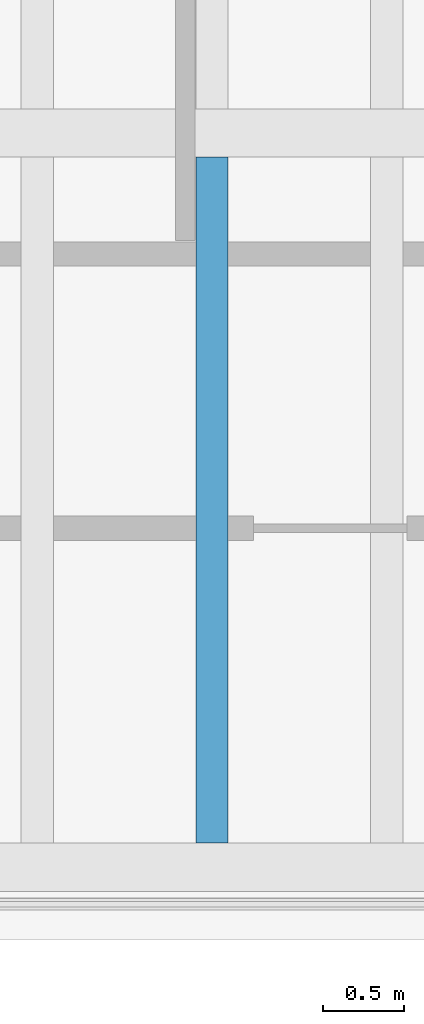
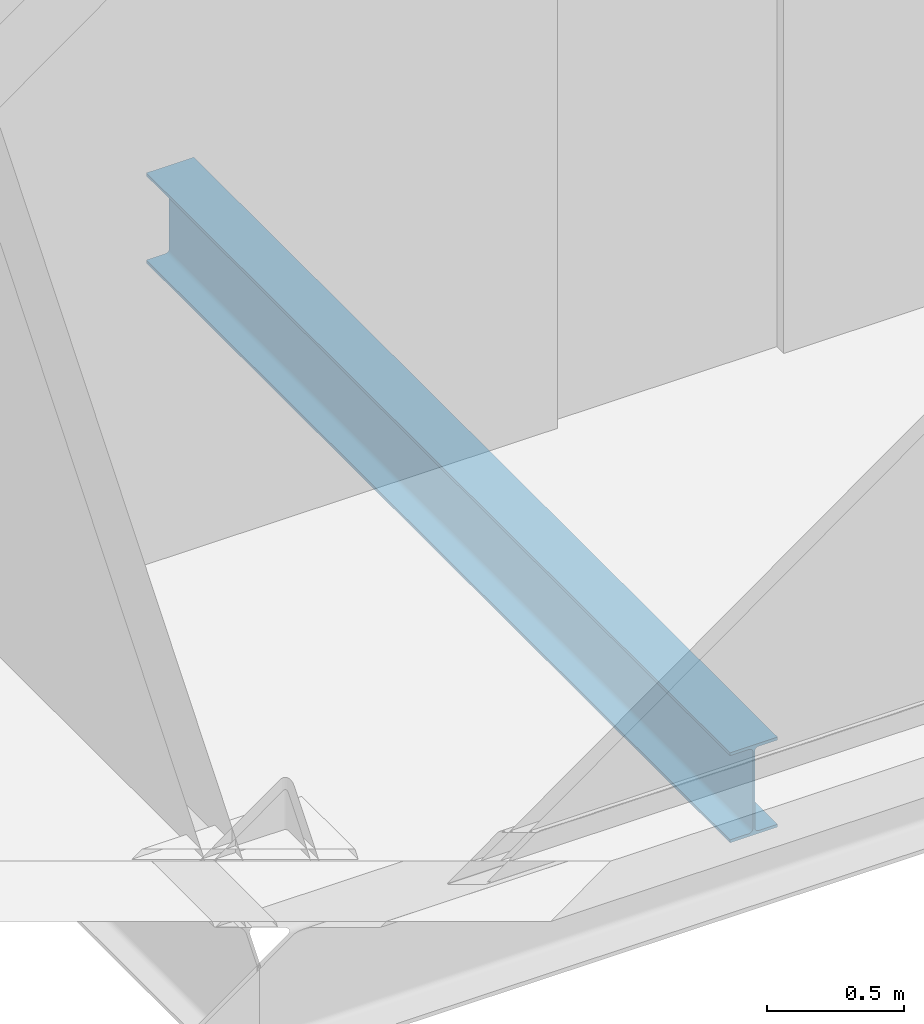
# One storey, part 4 of 30: 1 beam.
"""IFC4 building model written with IfcOpenShell, lengths in metres."""

import ifcopenshell
import ifcopenshell.guid

model = None  # the IFC model being written
_history = None  # IfcOwnerHistory: only IFC2X3 demands one
_inside = {}  # id of a spatial element -> (the spatial element, [elements in it])
_under = {}  # id of a project, library or spatial element -> (it, [spatial elements below it])
_declared = {}  # id of a project -> (the project, [libraries it declares])
_typed = {}  # id of a type object -> (the type object, [elements of that type])
_made_of = {}  # id of a material, layer set ... -> (it, [elements and type objects made of it])


def new_model(schema):
    """Start an empty IFC model of exactly this schema.

    Asked for "IFC4X3", IfcOpenShell would pick the latest addendum, in which some entities
    have other attributes; the version numbers below select the first issue.
    IFC2X3 requires an IfcOwnerHistory on every rooted entity: one is made here for all.
    """
    global model, _history
    if schema == "IFC4X3":
        model = ifcopenshell.file(schema_version=(4, 3, 0, 0))
    else:
        model = ifcopenshell.file(schema=schema)
    _inside.clear()
    _under.clear()
    _declared.clear()
    _typed.clear()
    _made_of.clear()
    _history = None
    if model.schema == "IFC2X3":
        org = make("IfcOrganization", Name="unknown")
        user = make(
            "IfcPersonAndOrganization",
            ThePerson=make("IfcPerson", FamilyName="unknown"),
            TheOrganization=org,
        )
        app = make(
            "IfcApplication",
            ApplicationDeveloper=org,
            Version="unknown",
            ApplicationFullName="unknown",
            ApplicationIdentifier="unknown",
        )
        _history = make(
            "IfcOwnerHistory",
            OwningUser=user,
            OwningApplication=app,
            ChangeAction="ADDED",
            CreationDate=0,
        )
    return model


def make(cls, **values):
    """One entity of the class cls with the attributes given. An attribute that is None is left unset."""
    return model.create_entity(
        cls, **{name: value for name, value in values.items() if value is not None}
    )


def rooted(cls, **values):
    """An entity with a GlobalId (a new one), such as an element, a storey or a relation."""
    return make(cls, GlobalId=ifcopenshell.guid.new(), OwnerHistory=_history, **values)


def si_unit(unit_type, name, prefix=None):
    """IfcSIUnit, for example si_unit("LENGTHUNIT", "METRE", prefix="MILLI")."""
    return make("IfcSIUnit", UnitType=unit_type, Prefix=prefix, Name=name)


def assignment(units):
    """IfcUnitAssignment: the units of a project."""
    return None if units is None else make("IfcUnitAssignment", Units=units)


def point(xyz):
    """IfcCartesianPoint."""
    return None if xyz is None else make("IfcCartesianPoint", Coordinates=xyz)


def direction(xyz):
    """IfcDirection."""
    return None if xyz is None else make("IfcDirection", DirectionRatios=xyz)


def frame(location, z_axis=None, x_axis=None):
    """IfcAxis2Placement3D, a coordinate frame: its origin and axes. An axis left out is left unset."""
    return make(
        "IfcAxis2Placement3D",
        Location=point(location),
        Axis=direction(z_axis),
        RefDirection=direction(x_axis),
    )


def frame_2d(location, x_axis=None):
    """IfcAxis2Placement2D, a coordinate frame in the plane: its origin and x axis."""
    return make(
        "IfcAxis2Placement2D", Location=point(location), RefDirection=direction(x_axis)
    )


def origin():
    """The frame at (0, 0, 0) with its axes left unset."""
    return frame((0.0, 0.0, 0.0))


def origin_2d():
    """The frame at (0, 0) in the plane with its x axis left unset."""
    return frame_2d((0.0, 0.0))


def place(relative_to, where):
    """IfcLocalPlacement: puts the frame where relative to a parent placement (None: the world)."""
    return make(
        "IfcLocalPlacement", PlacementRelTo=relative_to, RelativePlacement=where
    )


def context(
    kind, dimensions, precision=None, world=None, true_north=None, identifier=None
):
    """IfcGeometricRepresentationContext, for example the 3D "Model" context."""
    return make(
        "IfcGeometricRepresentationContext",
        ContextIdentifier=identifier,
        ContextType=kind,
        CoordinateSpaceDimension=dimensions,
        Precision=precision,
        WorldCoordinateSystem=world,
        TrueNorth=true_north,
    )


def subcontext(parent, identifier, kind, view, scale=None):
    """IfcGeometricRepresentationSubContext, for example "Body" below "Model"."""
    return make(
        "IfcGeometricRepresentationSubContext",
        ContextIdentifier=identifier,
        ContextType=kind,
        ParentContext=parent,
        TargetScale=scale,
        TargetView=view,
    )


def project(units=None, contexts=None):
    """IfcProject with its units and contexts."""
    return rooted(
        "IfcProject",
        Name="project",
        RepresentationContexts=contexts,
        UnitsInContext=assignment(units),
    )


def spatial(cls, under=None, at=None, **own):
    """A site, building, storey or space (cls), placed at a placement, below another one or the project."""
    s = rooted(cls, ObjectPlacement=at, **own)
    if under is not None:
        _under.setdefault(under.id(), (under, []))[1].append(s)
    return s


def profile(cls, at=None, kind="AREA", **sizes):
    """A parametric profile (cls). Its sizes go by their IFC names, for example OverallWidth=200.0."""
    return make(cls, ProfileType=kind, Position=at, **sizes)


def i_section(**sizes):
    """IfcIShapeProfileDef."""
    return profile("IfcIShapeProfileDef", **sizes)


def extrude(swept, where, along, depth):
    """IfcExtrudedAreaSolid: the profile swept, set in the frame where, extruded along a direction by depth."""
    return make(
        "IfcExtrudedAreaSolid",
        SweptArea=swept,
        Position=where,
        ExtrudedDirection=direction(along),
        Depth=depth,
    )


def shape(context_of_items, identifier, shape_type, items):
    """IfcShapeRepresentation: the items that make up one representation, for example the "Body"."""
    return make(
        "IfcShapeRepresentation",
        ContextOfItems=context_of_items,
        RepresentationIdentifier=identifier,
        RepresentationType=shape_type,
        Items=items,
    )


def material(Name=None, Category=None):
    """IfcMaterial."""
    return make("IfcMaterial", Name=Name, Category=Category)


def material_profile(
    of_material, cross_section, Name=None, Category=None, Priority=None
):
    """IfcMaterialProfile: a cross section and its material."""
    return make(
        "IfcMaterialProfile",
        Name=Name,
        Material=of_material,
        Profile=cross_section,
        Priority=Priority,
        Category=Category,
    )


def profile_set(profiles, Name=None, composite=None):
    """IfcMaterialProfileSet."""
    return make(
        "IfcMaterialProfileSet",
        Name=Name,
        MaterialProfiles=profiles,
        CompositeProfile=composite,
    )


def made_of(thing, what):
    """Note that an element or type object is made of a material, layer set ...; save() writes the relation."""
    if what is not None:
        _made_of.setdefault(what.id(), (what, []))[1].append(thing)
    return thing


def type_object(cls, material=None, **own):
    """A type object (cls), such as IfcWallType, which elements share."""
    return made_of(rooted(cls, **own), material)


def element(
    cls,
    number,
    at=None,
    inside=None,
    cuts=None,
    type_object=None,
    material=None,
    context=None,
    identifier="Body",
    shape_type=None,
    held_by="IfcProductDefinitionShape",
    body=None,
    shapes=None,
    **own,
):
    """One element of the class cls, such as IfcWall. Its Tag is "e" and its number.

    at: its placement. inside: the storey or other place that contains it. cuts: it is an
    opening in that element (IfcRelVoidsElement). A single representation is given by context,
    identifier, shape_type and body (its items); several are given by shapes. held_by: the class
    of the entity that holds the representations. save() writes the other relations.
    """
    e = rooted(cls, Tag="e%d" % number, ObjectPlacement=at, **own)
    if body is not None:
        shapes = [shape(context, identifier, shape_type, body)]
    if shapes is not None:
        e.Representation = make(held_by, Representations=shapes)
    if inside is not None:
        _inside.setdefault(inside.id(), (inside, []))[1].append(e)
    if cuts is not None:
        rooted(
            "IfcRelVoidsElement", RelatingBuildingElement=cuts, RelatedOpeningElement=e
        )
    if type_object is not None:
        _typed.setdefault(type_object.id(), (type_object, []))[1].append(e)
    return made_of(e, material)


def aggregate(whole, parts):
    """IfcRelAggregates: a whole, such as a stair, and the parts it consists of."""
    return rooted("IfcRelAggregates", RelatingObject=whole, RelatedObjects=parts)


def save(model, path):
    """Write the relations noted so far, then the file.

    IfcRelAggregates (storeys below a building ...), IfcRelContainedInSpatialStructure (elements
    in a storey), IfcRelDefinesByType, IfcRelAssociatesMaterial and IfcRelDeclares: one each for
    every whole, place, type object, material and project.
    """
    for whole, parts in _under.values():
        aggregate(whole, parts)
    for where, things in _inside.values():
        rooted(
            "IfcRelContainedInSpatialStructure",
            RelatedElements=things,
            RelatingStructure=where,
        )
    for kind, things in _typed.values():
        rooted("IfcRelDefinesByType", RelatedObjects=things, RelatingType=kind)
    for what, things in _made_of.values():
        rooted("IfcRelAssociatesMaterial", RelatedObjects=things, RelatingMaterial=what)
    for by, libraries in _declared.values():
        rooted("IfcRelDeclares", RelatingContext=by, RelatedDefinitions=libraries)
    model.write(path)


model = new_model("IFC4")

# Units and contexts
model_context = context("Model", 3, precision=1e-05, world=origin(), true_north=direction((0.0, 1.0)))
body_context = subcontext(model_context, "Body", "Model", "MODEL_VIEW")
ifc_project = project(units=[si_unit("LENGTHUNIT", "METRE"), si_unit("AREAUNIT", "SQUARE_METRE"), si_unit("VOLUMEUNIT", "CUBIC_METRE"), si_unit("PLANEANGLEUNIT", "RADIAN"), si_unit("MASSUNIT", "GRAM", prefix="KILO")], contexts=[model_context])

# Site, building, storey
site_placement = place(None, origin())
site = spatial("IfcSite", under=ifc_project, at=site_placement, CompositionType="ELEMENT")
building_placement = place(site_placement, origin())
building = spatial("IfcBuilding", under=site, at=building_placement, Name="Noeulbin Bourse Tower", CompositionType="ELEMENT")
storey_placement = place(building_placement, frame((0.0, 0.0, 26.5)))
storey = spatial("IfcBuildingStorey", under=building, at=storey_placement, Name="L06", CompositionType="ELEMENT", Elevation=26.5)

# Beam
ifc_material = material(Name="Steel S355", Category="steel")
ifc_material_profile = material_profile(ifc_material, i_section(OverallWidth=0.199951171875, OverallDepth=0.39990234375, WebThickness=0.008056640625, FlangeThickness=0.012939453125, FilletRadius=0.01611328125, at=origin_2d()), Name="H-400x200x8x13", Category="LoadBearing")
ifc_profile_set = profile_set([ifc_material_profile], Name="Steel S355")
beam_type = type_object("IfcBeamType", Name="BM-SEC-400", PredefinedType="BEAM", material=ifc_profile_set)
beam_placement = place(storey_placement, frame((33.166748046875, 15.60009765625, -0.3798828125), z_axis=(0.0, 1.0, 0.0), x_axis=(-1.0, 0.0, 0.0)))
element("IfcBeam", 1, at=beam_placement, inside=storey, type_object=beam_type, Name="Tower Composite Joist L06-42", PredefinedType="BEAM", context=body_context, shape_type="SweptSolid", body=[
    extrude(i_section(OverallWidth=0.199951171875, OverallDepth=0.39990234375, WebThickness=0.008056640625, FlangeThickness=0.012939453125, FilletRadius=0.01611328125, at=origin_2d()), origin(), (0.0, 0.0, 1.0), 4.25),
])

save(model, "model.ifc")
